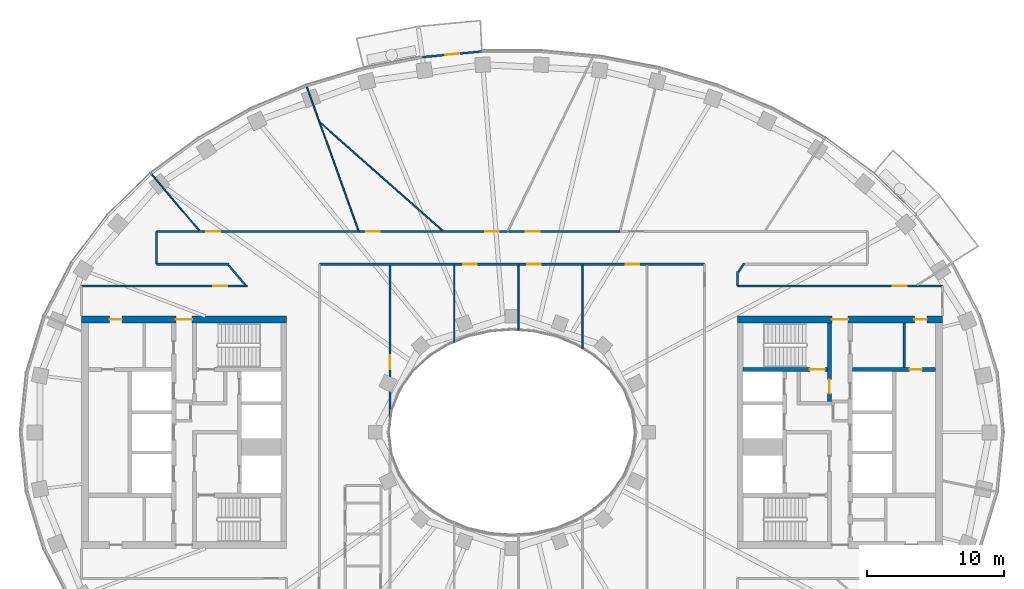
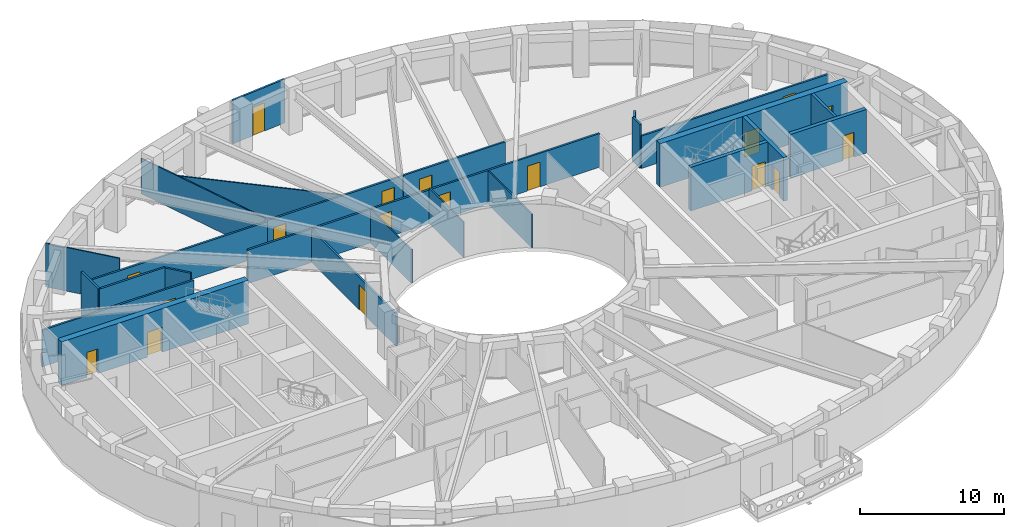
# One storey, part 6 of 16: 25 walls, 18 doors, 18 openings.
"""IFC4 building model written with IfcOpenShell, lengths in metres."""

from ifc_helpers import new_model, si_unit, direction, frame, frame_2d, origin, place, context, subcontext, project, spatial, rectangle, extrude, material, layer, layer_set, type_object, element, fill, save


model = new_model("IFC4")

# Units and contexts
model_context = context("Model", 3, precision=1e-05, world=origin(), true_north=direction((0.0, 1.0)))
body_context = subcontext(model_context, "Body", "Model", "MODEL_VIEW")
ifc_project = project(units=[si_unit("LENGTHUNIT", "METRE"), si_unit("AREAUNIT", "SQUARE_METRE"), si_unit("VOLUMEUNIT", "CUBIC_METRE"), si_unit("PLANEANGLEUNIT", "RADIAN"), si_unit("MASSUNIT", "GRAM", prefix="KILO")], contexts=[model_context])

# Site, building, storey
site_placement = place(None, origin())
site = spatial("IfcSite", under=ifc_project, at=site_placement, CompositionType="ELEMENT")
building_placement = place(site_placement, origin())
building = spatial("IfcBuilding", under=site, at=building_placement, Name="Noorbagh Ring Tower", CompositionType="ELEMENT")
storey_placement = place(building_placement, frame((0.0, 0.0, 245.5)))
storey = spatial("IfcBuildingStorey", under=building, at=storey_placement, Name="L51", CompositionType="ELEMENT", Elevation=245.5)

# Wall
ifc_material_1 = material(Name="Gypsum board on steel studs", Category="steel")
ifc_layer_1 = layer(ifc_material_1, 0.199951171875)
ifc_layer_set_1 = layer_set([ifc_layer_1], Name="Gypsum board on steel studs")
wall_type_1 = type_object("IfcWallType", Name="CORE-PARTITION-200", PredefinedType="PARTITIONING", material=ifc_layer_set_1)
wall_1_placement = place(storey_placement, frame((28.699951171875, 4.75, 0.0), z_axis=(0.0, 0.0, 1.0), x_axis=(0.0, 1.0, 0.0)))
element("IfcWall", 1, at=wall_1_placement, inside=storey, type_object=wall_type_1, Name="Core partition E", PredefinedType="PARTITIONING", context=body_context, shape_type="SweptSolid", body=[
    extrude(rectangle(XDim=3.25, YDim=0.199951171875, at=frame_2d((1.625, 0.0))), origin(), (0.0, 0.0, 1.0), 3.699951171875),
])

# Wall, opening, door
ifc_material_2 = material(Name="Concrete C60/75", Category="concrete")
ifc_layer_2 = layer(ifc_material_2, 0.300048828125)
ifc_layer_set_2 = layer_set([ifc_layer_2], Name="Concrete C60/75")
wall_type_2 = type_object("IfcWallType", Name="CORE-WALL-300-C60-75-EI240", PredefinedType="SHEAR", material=ifc_layer_set_2)
wall_2_placement = place(storey_placement, frame((24.89990234375, 4.60009765625, 0.0), z_axis=(0.0, 0.0, 1.0), x_axis=(1.0, 0.0, 0.0)))
wall_2 = element("IfcWall", 2, at=wall_2_placement, inside=storey, type_object=wall_type_2, Name="Core wall E", PredefinedType="SHEAR", context=body_context, shape_type="SweptSolid", body=[
    extrude(rectangle(XDim=6.10009765625, YDim=0.300048828125, at=frame_2d((3.050048828125, 0.0))), origin(), (0.0, 0.0, 1.0), 3.699951171875),
])
opening_1_placement = place(wall_2_placement, frame((4.199951171875, 0.0, 0.0)))
opening_1 = element("IfcOpeningElement", 3, at=opening_1_placement, cuts=wall_2, Name="Opening L51-CE19", PredefinedType="OPENING", context=body_context, shape_type="SweptSolid", body=[
    extrude(rectangle(XDim=0.89990234375, YDim=2.10009765625, at=frame_2d((0.449951171875, 1.050048828125))), frame((0.0, 0.16015625, 0.0), z_axis=(0.0, -1.0, 0.0), x_axis=(1.0, 0.0, 0.0)), (0.0, 0.0, 1.0), 0.320068359375),
])
ifc_material_3 = material(Name="Steel door leaf", Category="steel")
door_type_1 = type_object("IfcDoorType", Name="CORE-DOOR-DROOM", OperationType="SINGLE_SWING_LEFT", PredefinedType="DOOR", material=ifc_material_3)
door_1_placement = place(opening_1_placement, origin())
door_1 = element("IfcDoor", 4, at=door_1_placement, inside=storey, type_object=door_type_1, Name="Core room door L51-CE19", OperationType="SINGLE_SWING_RIGHT", OverallHeight=2.10009765625, OverallWidth=0.89990234375, PredefinedType="DOOR", context=body_context, shape_type="SweptSolid", body=[
    extrude(rectangle(XDim=0.89990234375, YDim=2.10009765625, at=frame_2d((0.449951171875, 1.050048828125))), frame((0.0, 0.02490234375, 0.0), z_axis=(0.0, -1.0, 0.0), x_axis=(1.0, 0.0, 0.0)), (0.0, 0.0, 1.0), 0.050048828125),
])
fill(opening_1, door_1)

wall_3_placement = place(storey_placement, frame((23.22998046875, 2.25, 0.0), z_axis=(0.0, 0.0, 1.0), x_axis=(0.0, 1.0, 0.0)))
wall_3 = element("IfcWall", 5, at=wall_3_placement, inside=storey, type_object=wall_type_2, Name="Core wall E", PredefinedType="SHEAR", context=body_context, shape_type="SweptSolid", body=[
    extrude(rectangle(XDim=5.75, YDim=0.300048828125, at=frame_2d((2.875, 0.0))), origin(), (0.0, 0.0, 1.0), 3.699951171875),
])
opening_2_placement = place(wall_3_placement, frame((0.60009765625, 0.0, 0.0)))
opening_2 = element("IfcOpeningElement", 6, at=opening_2_placement, cuts=wall_3, Name="Opening L51-CE10", PredefinedType="OPENING", context=body_context, shape_type="SweptSolid", body=[
    extrude(rectangle(XDim=1.0, YDim=2.10009765625, at=frame_2d((0.5, 1.050048828125))), frame((0.0, 0.16015625, 0.0), z_axis=(0.0, -1.0, 0.0), x_axis=(1.0, 0.0, 0.0)), (0.0, 0.0, 1.0), 0.320068359375),
])
ifc_material_4 = material(Name="Steel door leaf", Category="steel")
door_type_2 = type_object("IfcDoorType", Name="CORE-DOOR-DVEST", OperationType="SINGLE_SWING_LEFT", PredefinedType="DOOR", material=ifc_material_4)
door_2_placement = place(opening_2_placement, origin())
door_2 = element("IfcDoor", 7, at=door_2_placement, inside=storey, type_object=door_type_2, Name="Stair vestibule door L51-CE10", OperationType="SINGLE_SWING_RIGHT", OverallHeight=2.10009765625, OverallWidth=1.0, PredefinedType="DOOR", context=body_context, shape_type="SweptSolid", body=[
    extrude(rectangle(XDim=1.0, YDim=2.10009765625, at=frame_2d((0.5, 1.050048828125))), frame((0.0, 0.02490234375, 0.0), z_axis=(0.0, -1.0, 0.0), x_axis=(1.0, 0.0, 0.0)), (0.0, 0.0, 1.0), 0.050048828125),
])
fill(opening_2, door_2)

wall_4_placement = place(storey_placement, frame((16.89990234375, 4.60009765625, 0.0), z_axis=(0.0, 0.0, 1.0), x_axis=(1.0, 0.0, 0.0)))
wall_4 = element("IfcWall", 8, at=wall_4_placement, inside=storey, type_object=wall_type_2, Name="Core wall E", PredefinedType="SHEAR", context=body_context, shape_type="SweptSolid", body=[
    extrude(rectangle(XDim=6.18017578125, YDim=0.300048828125, at=frame_2d((3.090087890625, 0.0))), origin(), (0.0, 0.0, 1.0), 3.699951171875),
])
opening_3_placement = place(wall_4_placement, frame((4.89990234375, 0.0, 0.0)))
opening_3 = element("IfcOpeningElement", 9, at=opening_3_placement, cuts=wall_4, Name="Opening L51-CE07", PredefinedType="OPENING", context=body_context, shape_type="SweptSolid", body=[
    extrude(rectangle(XDim=1.10009765625, YDim=2.10009765625, at=frame_2d((0.550048828125, 1.050048828125))), frame((0.0, 0.16015625, 0.0), z_axis=(0.0, -1.0, 0.0), x_axis=(1.0, 0.0, 0.0)), (0.0, 0.0, 1.0), 0.320068359375),
])
ifc_material_5 = material(Name="Steel door leaf", Category="steel")
door_type_3 = type_object("IfcDoorType", Name="CORE-DOOR-DSTAIR", OperationType="SINGLE_SWING_LEFT", PredefinedType="DOOR", material=ifc_material_5)
door_3_placement = place(opening_3_placement, origin())
door_3 = element("IfcDoor", 10, at=door_3_placement, inside=storey, type_object=door_type_3, Name="Stair door ST3 L51-CE07", OperationType="SINGLE_SWING_LEFT", OverallHeight=2.10009765625, OverallWidth=1.10009765625, PredefinedType="DOOR", context=body_context, shape_type="SweptSolid", body=[
    extrude(rectangle(XDim=1.10009765625, YDim=2.10009765625, at=frame_2d((0.550048828125, 1.050048828125))), frame((0.0, 0.02490234375, 0.0), z_axis=(0.0, -1.0, 0.0), x_axis=(1.0, 0.0, 0.0)), (0.0, 0.0, 1.0), 0.050048828125),
])
fill(opening_3, door_3)

# Wall, openings, doors
ifc_material_6 = material(Name="Concrete C60/75", Category="concrete")
ifc_layer_3 = layer(ifc_material_6, 0.5)
ifc_layer_set_3 = layer_set([ifc_layer_3], Name="Concrete C60/75")
wall_type_3 = type_object("IfcWallType", Name="CORE-WALL-500-C60-75-EI240", PredefinedType="SHEAR", material=ifc_layer_set_3)
wall_5_placement = place(storey_placement, frame((-16.5, 8.25, 0.0), z_axis=(0.0, 0.0, 1.0), x_axis=(-1.0, 0.0, 0.0)))
wall_5 = element("IfcWall", 11, at=wall_5_placement, inside=storey, type_object=wall_type_3, Name="Core wall W", PredefinedType="SHEAR", context=body_context, shape_type="SweptSolid", body=[
    extrude(rectangle(XDim=15.0, YDim=0.5, at=frame_2d((7.5, 0.0))), origin(), (0.0, 0.0, 1.0), 3.699951171875),
])
opening_4_placement = place(wall_5_placement, frame((6.89990234375, 0.0, 0.0)))
opening_4 = element("IfcOpeningElement", 12, at=opening_4_placement, cuts=wall_5, Name="Opening L51-CW10", PredefinedType="OPENING", context=body_context, shape_type="SweptSolid", body=[
    extrude(rectangle(XDim=1.199951171875, YDim=2.10009765625, at=frame_2d((0.60009765625, 1.050048828125))), frame((0.0, 0.260009765625, 0.0), z_axis=(0.0, -1.0, 0.0), x_axis=(1.0, 0.0, 0.0)), (0.0, 0.0, 1.0), 0.52001953125),
])
opening_5_placement = place(wall_5_placement, frame((12.050048828125, 0.0, 0.0)))
opening_5 = element("IfcOpeningElement", 13, at=opening_5_placement, cuts=wall_5, Name="Opening L51-CW13", PredefinedType="OPENING", context=body_context, shape_type="SweptSolid", body=[
    extrude(rectangle(XDim=0.89990234375, YDim=2.10009765625, at=frame_2d((0.449951171875, 1.050048828125))), frame((0.0, 0.260009765625, 0.0), z_axis=(0.0, -1.0, 0.0), x_axis=(1.0, 0.0, 0.0)), (0.0, 0.0, 1.0), 0.52001953125),
])
door_4_placement = place(opening_5_placement, origin())
door_4 = element("IfcDoor", 14, at=door_4_placement, inside=storey, type_object=door_type_1, Name="Core room door L51-CW13", OperationType="SINGLE_SWING_RIGHT", OverallHeight=2.10009765625, OverallWidth=0.89990234375, PredefinedType="DOOR", context=body_context, shape_type="SweptSolid", body=[
    extrude(rectangle(XDim=0.89990234375, YDim=2.10009765625, at=frame_2d((0.449951171875, 1.050048828125))), frame((0.0, 0.02490234375, 0.0), z_axis=(0.0, -1.0, 0.0), x_axis=(1.0, 0.0, 0.0)), (0.0, 0.0, 1.0), 0.050048828125),
])
fill(opening_5, door_4)
ifc_material_7 = material(Name="Steel door leaf", Category="steel")
door_type_4 = type_object("IfcDoorType", Name="CORE-DOOR-PORT", OperationType="DOUBLE_DOOR_DOUBLE_SWING", PredefinedType="DOOR", material=ifc_material_7)
door_5_placement = place(opening_4_placement, origin())
door_5 = element("IfcDoor", 15, at=door_5_placement, inside=storey, type_object=door_type_4, Name="Core entrance door L51-CW10", OperationType="DOUBLE_DOOR_DOUBLE_SWING", OverallHeight=2.10009765625, OverallWidth=1.199951171875, PredefinedType="DOOR", context=body_context, shape_type="SweptSolid", body=[
    extrude(rectangle(XDim=1.199951171875, YDim=2.10009765625, at=frame_2d((0.60009765625, 1.050048828125))), frame((0.0, 0.02490234375, 0.0), z_axis=(0.0, -1.0, 0.0), x_axis=(1.0, 0.0, 0.0)), (0.0, 0.0, 1.0), 0.050048828125),
])
fill(opening_4, door_5)

wall_6_placement = place(storey_placement, frame((16.5, 8.25, 0.0), z_axis=(0.0, 0.0, 1.0), x_axis=(1.0, 0.0, 0.0)))
wall_6 = element("IfcWall", 16, at=wall_6_placement, inside=storey, type_object=wall_type_3, Name="Core wall E", PredefinedType="SHEAR", context=body_context, shape_type="SweptSolid", body=[
    extrude(rectangle(XDim=15.0, YDim=0.5, at=frame_2d((7.5, 0.0))), origin(), (0.0, 0.0, 1.0), 3.699951171875),
])
opening_6_placement = place(wall_6_placement, frame((6.89990234375, 0.0, 0.0)))
opening_6 = element("IfcOpeningElement", 17, at=opening_6_placement, cuts=wall_6, Name="Opening L51-CE11", PredefinedType="OPENING", context=body_context, shape_type="SweptSolid", body=[
    extrude(rectangle(XDim=1.199951171875, YDim=2.10009765625, at=frame_2d((0.60009765625, 1.050048828125))), frame((0.0, 0.260009765625, 0.0), z_axis=(0.0, -1.0, 0.0), x_axis=(1.0, 0.0, 0.0)), (0.0, 0.0, 1.0), 0.52001953125),
])
opening_7_placement = place(wall_6_placement, frame((12.949951171875, 0.0, 0.0)))
opening_7 = element("IfcOpeningElement", 18, at=opening_7_placement, cuts=wall_6, Name="Opening L51-CE14", PredefinedType="OPENING", context=body_context, shape_type="SweptSolid", body=[
    extrude(rectangle(XDim=0.89990234375, YDim=2.10009765625, at=frame_2d((0.449951171875, 1.050048828125))), frame((0.0, 0.260009765625, 0.0), z_axis=(0.0, -1.0, 0.0), x_axis=(1.0, 0.0, 0.0)), (0.0, 0.0, 1.0), 0.52001953125),
])
door_6_placement = place(opening_7_placement, origin())
door_6 = element("IfcDoor", 19, at=door_6_placement, inside=storey, type_object=door_type_1, Name="Core room door L51-CE14", OperationType="SINGLE_SWING_LEFT", OverallHeight=2.10009765625, OverallWidth=0.89990234375, PredefinedType="DOOR", context=body_context, shape_type="SweptSolid", body=[
    extrude(rectangle(XDim=0.89990234375, YDim=2.10009765625, at=frame_2d((0.449951171875, 1.050048828125))), frame((0.0, 0.02490234375, 0.0), z_axis=(0.0, -1.0, 0.0), x_axis=(1.0, 0.0, 0.0)), (0.0, 0.0, 1.0), 0.050048828125),
])
fill(opening_7, door_6)
door_7_placement = place(opening_6_placement, origin())
door_7 = element("IfcDoor", 20, at=door_7_placement, inside=storey, type_object=door_type_4, Name="Core entrance door L51-CE11", OperationType="DOUBLE_DOOR_DOUBLE_SWING", OverallHeight=2.10009765625, OverallWidth=1.199951171875, PredefinedType="DOOR", context=body_context, shape_type="SweptSolid", body=[
    extrude(rectangle(XDim=1.199951171875, YDim=2.10009765625, at=frame_2d((0.60009765625, 1.050048828125))), frame((0.0, 0.02490234375, 0.0), z_axis=(0.0, -1.0, 0.0), x_axis=(1.0, 0.0, 0.0)), (0.0, 0.0, 1.0), 0.050048828125),
])
fill(opening_6, door_7)

# Wall, opening, door
ifc_material_8 = material(Name="Gypsum board on steel studs", Category="steel")
ifc_layer_4 = layer(ifc_material_8, 0.14990234375)
ifc_layer_set_4 = layer_set([ifc_layer_4], Name="Gypsum board on steel studs")
wall_type_4 = type_object("IfcWallType", Name="CORRIDOR PARTITION 150 EI 30", PredefinedType="PARTITIONING", material=ifc_layer_set_4)
wall_7_placement = place(storey_placement, frame((-31.5, 10.699951171875, 0.0), z_axis=(0.0, 0.0, 1.0), x_axis=(1.0, 0.0, 0.0)))
wall_7 = element("IfcWall", 21, at=wall_7_placement, inside=storey, type_object=wall_type_4, Name="L51/wall/P05", PredefinedType="PARTITIONING", context=body_context, shape_type="SweptSolid", body=[
    extrude(rectangle(XDim=12.14697265625, YDim=0.14990234375, at=frame_2d((6.073486328125, 0.0))), origin(), (0.0, 0.0, 1.0), 3.10009765625),
])
opening_8_placement = place(wall_7_placement, frame((9.64892578125, 0.0, 0.0)))
opening_8 = element("IfcOpeningElement", 22, at=opening_8_placement, cuts=wall_7, Name="Opening D1", PredefinedType="OPENING", context=body_context, shape_type="SweptSolid", body=[
    extrude(rectangle(XDim=1.0, YDim=2.10009765625, at=frame_2d((0.5, 1.050048828125))), frame((0.0, 0.0849609375, 0.0), z_axis=(0.0, -1.0, 0.0), x_axis=(1.0, 0.0, 0.0)), (0.0, 0.0, 1.0), 0.169921875),
])
ifc_material_9 = material(Name="Timber, painted", Category="wood")
door_type_5 = type_object("IfcDoorType", Name="DOOR 1000 X 2100 FD30", OperationType="SINGLE_SWING_LEFT", PredefinedType="DOOR", material=ifc_material_9)
door_8_placement = place(opening_8_placement, origin())
door_8 = element("IfcDoor", 23, at=door_8_placement, inside=storey, type_object=door_type_5, Name="L51-D07", OperationType="SINGLE_SWING_LEFT", OverallHeight=2.10009765625, OverallWidth=1.0, PredefinedType="DOOR", context=body_context, shape_type="SweptSolid", body=[
    extrude(rectangle(XDim=1.0, YDim=2.10009765625, at=frame_2d((0.5, 1.050048828125))), frame((0.0, 0.02490234375, 0.0), z_axis=(0.0, -1.0, 0.0), x_axis=(1.0, 0.0, 0.0)), (0.0, 0.0, 1.0), 0.050048828125),
])
fill(opening_8, door_8)

# Walls
wall_8_placement = place(storey_placement, frame((-26.0, 12.300048828125, 0.0), z_axis=(0.0, 0.0, 1.0), x_axis=(0.0, 1.0, 0.0)))
element("IfcWall", 24, at=wall_8_placement, inside=storey, type_object=wall_type_4, Name="L51/wall/P10", PredefinedType="PARTITIONING", context=body_context, shape_type="SweptSolid", body=[
    extrude(rectangle(XDim=2.39990234375, YDim=0.14990234375, at=frame_2d((1.199951171875, 0.0))), origin(), (0.0, 0.0, 1.0), 3.699951171875),
])
wall_9_placement = place(storey_placement, frame((-26.0, 12.300048828125, 0.0), z_axis=(0.0, 0.0, 1.0), x_axis=(1.0, 0.0, 0.0)))
element("IfcWall", 25, at=wall_9_placement, inside=storey, type_object=wall_type_4, Name="L51/wall/P11", PredefinedType="PARTITIONING", context=body_context, shape_type="SweptSolid", body=[
    extrude(rectangle(XDim=5.298095703125, YDim=0.14990234375, at=frame_2d((2.64892578125, 0.0))), origin(), (0.0, 0.0, 1.0), 3.699951171875),
])

# Wall, opening, door
wall_10_placement = place(storey_placement, frame((-26.0, 14.699951171875, 0.0), z_axis=(0.0, 0.0, 1.0), x_axis=(1.0, 0.0, 0.0)))
wall_10 = element("IfcWall", 26, at=wall_10_placement, inside=storey, type_object=wall_type_4, Name="L51/wall/P12", PredefinedType="PARTITIONING", context=body_context, shape_type="SweptSolid", body=[
    extrude(rectangle(XDim=14.833984375, YDim=0.14990234375, at=frame_2d((7.4169921875, 0.0))), origin(), (0.0, 0.0, 1.0), 2.75),
])
opening_9_placement = place(wall_10_placement, frame((3.64306640625, 0.0, 0.0)))
opening_9 = element("IfcOpeningElement", 27, at=opening_9_placement, cuts=wall_10, Name="Opening D1", PredefinedType="OPENING", context=body_context, shape_type="SweptSolid", body=[
    extrude(rectangle(XDim=1.0, YDim=2.10009765625, at=frame_2d((0.5, 1.050048828125))), frame((0.0, 0.0849609375, 0.0), z_axis=(0.0, -1.0, 0.0), x_axis=(1.0, 0.0, 0.0)), (0.0, 0.0, 1.0), 0.169921875),
])
door_9_placement = place(opening_9_placement, origin())
door_9 = element("IfcDoor", 28, at=door_9_placement, inside=storey, type_object=door_type_5, Name="L51-D08", OperationType="SINGLE_SWING_RIGHT", OverallHeight=2.10009765625, OverallWidth=1.0, PredefinedType="DOOR", context=body_context, shape_type="SweptSolid", body=[
    extrude(rectangle(XDim=1.0, YDim=2.10009765625, at=frame_2d((0.5, 1.050048828125))), frame((0.0, 0.02490234375, 0.0), z_axis=(0.0, -1.0, 0.0), x_axis=(1.0, 0.0, 0.0)), (0.0, 0.0, 1.0), 0.050048828125),
])
fill(opening_9, door_9)

# Wall
wall_11_placement = place(storey_placement, frame((-20.73388671875, 12.221923828125, 0.0), z_axis=(0.0, 0.0, 1.0), x_axis=(0.646306563739, -0.763077863437, 0.0)))
element("IfcWall", 29, at=wall_11_placement, inside=storey, type_object=wall_type_4, Name="L51/wall/P13", PredefinedType="PARTITIONING", context=body_context, shape_type="SweptSolid", body=[
    extrude(rectangle(XDim=1.89208984375, YDim=0.14990234375, at=frame_2d((0.946044921875, 0.0))), origin(), (0.0, 0.0, 1.0), 3.699951171875),
])

# Wall, openings, doors
wall_12_placement = place(storey_placement, frame((-14.10009765625, 12.300048828125, 0.0), z_axis=(0.0, 0.0, 1.0), x_axis=(1.0, 0.0, 0.0)))
wall_12 = element("IfcWall", 30, at=wall_12_placement, inside=storey, type_object=wall_type_4, Name="L51/wall/P20", PredefinedType="PARTITIONING", context=body_context, shape_type="SweptSolid", body=[
    extrude(rectangle(XDim=28.2001953125, YDim=0.14990234375, at=frame_2d((14.10009765625, 0.0))), origin(), (0.0, 0.0, 1.0), 2.85009765625),
])
opening_10_placement = place(wall_12_placement, frame((10.52001953125, 0.0, 0.0)))
opening_10 = element("IfcOpeningElement", 31, at=opening_10_placement, cuts=wall_12, Name="Opening D1", PredefinedType="OPENING", context=body_context, shape_type="SweptSolid", body=[
    extrude(rectangle(XDim=1.0, YDim=2.10009765625, at=frame_2d((0.5, 1.050048828125))), frame((0.0, 0.0849609375, 0.0), z_axis=(0.0, -1.0, 0.0), x_axis=(1.0, 0.0, 0.0)), (0.0, 0.0, 1.0), 0.169921875),
])
opening_11_placement = place(wall_12_placement, frame((15.219970703125, 0.0, 0.0)))
opening_11 = element("IfcOpeningElement", 32, at=opening_11_placement, cuts=wall_12, Name="Opening D1", PredefinedType="OPENING", context=body_context, shape_type="SweptSolid", body=[
    extrude(rectangle(XDim=1.0, YDim=2.10009765625, at=frame_2d((0.5, 1.050048828125))), frame((0.0, 0.0849609375, 0.0), z_axis=(0.0, -1.0, 0.0), x_axis=(1.0, 0.0, 0.0)), (0.0, 0.0, 1.0), 0.169921875),
])
opening_12_placement = place(wall_12_placement, frame((22.419921875, 0.0, 0.0)))
opening_12 = element("IfcOpeningElement", 33, at=opening_12_placement, cuts=wall_12, Name="Opening D1", PredefinedType="OPENING", context=body_context, shape_type="SweptSolid", body=[
    extrude(rectangle(XDim=1.0, YDim=2.10009765625, at=frame_2d((0.5, 1.050048828125))), frame((0.0, 0.0849609375, 0.0), z_axis=(0.0, -1.0, 0.0), x_axis=(1.0, 0.0, 0.0)), (0.0, 0.0, 1.0), 0.169921875),
])
door_10_placement = place(opening_10_placement, origin())
door_10 = element("IfcDoor", 34, at=door_10_placement, inside=storey, type_object=door_type_5, Name="L51-D25", OperationType="SINGLE_SWING_LEFT", OverallHeight=2.10009765625, OverallWidth=1.0, PredefinedType="DOOR", context=body_context, shape_type="SweptSolid", body=[
    extrude(rectangle(XDim=1.0, YDim=2.10009765625, at=frame_2d((0.5, 1.050048828125))), frame((0.0, 0.02490234375, 0.0), z_axis=(0.0, -1.0, 0.0), x_axis=(1.0, 0.0, 0.0)), (0.0, 0.0, 1.0), 0.050048828125),
])
fill(opening_10, door_10)
door_11_placement = place(opening_11_placement, origin())
door_11 = element("IfcDoor", 35, at=door_11_placement, inside=storey, type_object=door_type_5, Name="L51-D27", OperationType="SINGLE_SWING_LEFT", OverallHeight=2.10009765625, OverallWidth=1.0, PredefinedType="DOOR", context=body_context, shape_type="SweptSolid", body=[
    extrude(rectangle(XDim=1.0, YDim=2.10009765625, at=frame_2d((0.5, 1.050048828125))), frame((0.0, 0.02490234375, 0.0), z_axis=(0.0, -1.0, 0.0), x_axis=(1.0, 0.0, 0.0)), (0.0, 0.0, 1.0), 0.050048828125),
])
fill(opening_11, door_11)
door_12_placement = place(opening_12_placement, origin())
door_12 = element("IfcDoor", 36, at=door_12_placement, inside=storey, type_object=door_type_5, Name="L51-D28", OperationType="SINGLE_SWING_RIGHT", OverallHeight=2.10009765625, OverallWidth=1.0, PredefinedType="DOOR", context=body_context, shape_type="SweptSolid", body=[
    extrude(rectangle(XDim=1.0, YDim=2.10009765625, at=frame_2d((0.5, 1.050048828125))), frame((0.0, 0.02490234375, 0.0), z_axis=(0.0, -1.0, 0.0), x_axis=(1.0, 0.0, 0.0)), (0.0, 0.0, 1.0), 0.050048828125),
])
fill(opening_12, door_12)

wall_13_placement = place(storey_placement, frame((-11.154052734375, 14.699951171875, 0.0), z_axis=(0.0, 0.0, 1.0), x_axis=(1.0, 0.0, 0.0)))
wall_13 = element("IfcWall", 37, at=wall_13_placement, inside=storey, type_object=wall_type_4, Name="L51/wall/P28", PredefinedType="PARTITIONING", context=body_context, shape_type="SweptSolid", body=[
    extrude(rectangle(XDim=10.8349609375, YDim=0.14990234375, at=frame_2d((5.41748046875, 0.0))), origin(), (0.0, 0.0, 1.0), 2.85009765625),
])
opening_13_placement = place(wall_13_placement, frame((9.18505859375, 0.0, 0.0)))
opening_13 = element("IfcOpeningElement", 38, at=opening_13_placement, cuts=wall_13, Name="Opening D1", PredefinedType="OPENING", context=body_context, shape_type="SweptSolid", body=[
    extrude(rectangle(XDim=1.0, YDim=2.10009765625, at=frame_2d((0.5, 1.050048828125))), frame((0.0, 0.0849609375, 0.0), z_axis=(0.0, -1.0, 0.0), x_axis=(1.0, 0.0, 0.0)), (0.0, 0.0, 1.0), 0.169921875),
])
opening_14_placement = place(wall_13_placement, frame((0.48291015625, 0.0, 0.0)))
opening_14 = element("IfcOpeningElement", 39, at=opening_14_placement, cuts=wall_13, Name="Opening D1", PredefinedType="OPENING", context=body_context, shape_type="SweptSolid", body=[
    extrude(rectangle(XDim=1.0, YDim=2.10009765625, at=frame_2d((0.5, 1.050048828125))), frame((0.0, 0.0849609375, 0.0), z_axis=(0.0, -1.0, 0.0), x_axis=(1.0, 0.0, 0.0)), (0.0, 0.0, 1.0), 0.169921875),
])
door_13_placement = place(opening_13_placement, origin())
door_13 = element("IfcDoor", 40, at=door_13_placement, inside=storey, type_object=door_type_5, Name="L51-D11", OperationType="SINGLE_SWING_LEFT", OverallHeight=2.10009765625, OverallWidth=1.0, PredefinedType="DOOR", context=body_context, shape_type="SweptSolid", body=[
    extrude(rectangle(XDim=1.0, YDim=2.10009765625, at=frame_2d((0.5, 1.050048828125))), frame((0.0, 0.02490234375, 0.0), z_axis=(0.0, -1.0, 0.0), x_axis=(1.0, 0.0, 0.0)), (0.0, 0.0, 1.0), 0.050048828125),
])
fill(opening_13, door_13)
door_14_placement = place(opening_14_placement, origin())
door_14 = element("IfcDoor", 41, at=door_14_placement, inside=storey, type_object=door_type_5, Name="L51-D12", OperationType="SINGLE_SWING_RIGHT", OverallHeight=2.10009765625, OverallWidth=1.0, PredefinedType="DOOR", context=body_context, shape_type="SweptSolid", body=[
    extrude(rectangle(XDim=1.0, YDim=2.10009765625, at=frame_2d((0.5, 1.050048828125))), frame((0.0, 0.02490234375, 0.0), z_axis=(0.0, -1.0, 0.0), x_axis=(1.0, 0.0, 0.0)), (0.0, 0.0, 1.0), 0.050048828125),
])
fill(opening_14, door_14)

# Wall, opening, door
wall_14_placement = place(storey_placement, frame((-8.929931640625, 0.51806640625, 0.0), z_axis=(0.0, 0.0, 1.0), x_axis=(0.0, 1.0, 0.0)))
wall_14 = element("IfcWall", 42, at=wall_14_placement, inside=storey, type_object=wall_type_4, Name="L51/wall/P32", PredefinedType="PARTITIONING", context=body_context, shape_type="SweptSolid", body=[
    extrude(rectangle(XDim=11.70703125, YDim=0.14990234375, at=frame_2d((5.853515625, 0.0))), origin(), (0.0, 0.0, 1.0), 2.75),
])
opening_15_placement = place(wall_14_placement, frame((4.110107421875, 0.0, 0.0)))
opening_15 = element("IfcOpeningElement", 43, at=opening_15_placement, cuts=wall_14, Name="Opening D1", PredefinedType="OPENING", context=body_context, shape_type="SweptSolid", body=[
    extrude(rectangle(XDim=1.0, YDim=2.10009765625, at=frame_2d((0.5, 1.050048828125))), frame((0.0, 0.0849609375, 0.0), z_axis=(0.0, -1.0, 0.0), x_axis=(1.0, 0.0, 0.0)), (0.0, 0.0, 1.0), 0.169921875),
])
door_15_placement = place(opening_15_placement, origin())
door_15 = element("IfcDoor", 44, at=door_15_placement, inside=storey, type_object=door_type_5, Name="L51-D23", OperationType="SINGLE_SWING_LEFT", OverallHeight=2.10009765625, OverallWidth=1.0, PredefinedType="DOOR", context=body_context, shape_type="SweptSolid", body=[
    extrude(rectangle(XDim=1.0, YDim=2.10009765625, at=frame_2d((0.5, 1.050048828125))), frame((0.0, 0.02490234375, 0.0), z_axis=(0.0, -1.0, 0.0), x_axis=(1.0, 0.0, 0.0)), (0.0, 0.0, 1.0), 0.050048828125),
])
fill(opening_15, door_15)

wall_15_placement = place(storey_placement, frame((-0.243896484375, 14.699951171875, 0.0), z_axis=(0.0, 0.0, 1.0), x_axis=(1.0, 0.0, 0.0)))
wall_15 = element("IfcWall", 45, at=wall_15_placement, inside=storey, type_object=wall_type_4, Name="L51/wall/P43", PredefinedType="PARTITIONING", context=body_context, shape_type="SweptSolid", body=[
    extrude(rectangle(XDim=8.14697265625, YDim=0.14990234375, at=frame_2d((4.073486328125, 0.0))), origin(), (0.0, 0.0, 1.0), 2.85009765625),
])
opening_16_placement = place(wall_15_placement, frame((1.262939453125, 0.0, 0.0)))
opening_16 = element("IfcOpeningElement", 46, at=opening_16_placement, cuts=wall_15, Name="Opening D1", PredefinedType="OPENING", context=body_context, shape_type="SweptSolid", body=[
    extrude(rectangle(XDim=1.0, YDim=2.10009765625, at=frame_2d((0.5, 1.050048828125))), frame((0.0, 0.0849609375, 0.0), z_axis=(0.0, -1.0, 0.0), x_axis=(1.0, 0.0, 0.0)), (0.0, 0.0, 1.0), 0.169921875),
])
door_16_placement = place(opening_16_placement, origin())
door_16 = element("IfcDoor", 47, at=door_16_placement, inside=storey, type_object=door_type_5, Name="L51-D14", OperationType="SINGLE_SWING_RIGHT", OverallHeight=2.10009765625, OverallWidth=1.0, PredefinedType="DOOR", context=body_context, shape_type="SweptSolid", body=[
    extrude(rectangle(XDim=1.0, YDim=2.10009765625, at=frame_2d((0.5, 1.050048828125))), frame((0.0, 0.02490234375, 0.0), z_axis=(0.0, -1.0, 0.0), x_axis=(1.0, 0.0, 0.0)), (0.0, 0.0, 1.0), 0.050048828125),
])
fill(opening_16, door_16)

# Wall
wall_16_placement = place(storey_placement, frame((16.5, 10.699951171875, 0.0), z_axis=(0.0, 0.0, 1.0), x_axis=(0.0, 1.0, 0.0)))
element("IfcWall", 48, at=wall_16_placement, inside=storey, type_object=wall_type_4, Name="L51/wall/P58", PredefinedType="PARTITIONING", context=body_context, shape_type="SweptSolid", body=[
    extrude(rectangle(XDim=1.05615234375, YDim=0.14990234375, at=frame_2d((0.528076171875, 0.0))), origin(), (0.0, 0.0, 1.0), 3.699951171875),
])

# Wall, opening, door
wall_17_placement = place(storey_placement, frame((16.5, 10.699951171875, 0.0), z_axis=(0.0, 0.0, 1.0), x_axis=(1.0, 0.0, 0.0)))
wall_17 = element("IfcWall", 49, at=wall_17_placement, inside=storey, type_object=wall_type_4, Name="L51/wall/P59", PredefinedType="PARTITIONING", context=body_context, shape_type="SweptSolid", body=[
    extrude(rectangle(XDim=15.0, YDim=0.14990234375, at=frame_2d((7.5, 0.0))), origin(), (0.0, 0.0, 1.0), 2.75),
])
opening_17_placement = place(wall_17_placement, frame((11.37109375, 0.0, 0.0)))
opening_17 = element("IfcOpeningElement", 50, at=opening_17_placement, cuts=wall_17, Name="Opening D1", PredefinedType="OPENING", context=body_context, shape_type="SweptSolid", body=[
    extrude(rectangle(XDim=1.0, YDim=2.10009765625, at=frame_2d((0.5, 1.050048828125))), frame((0.0, 0.0849609375, 0.0), z_axis=(0.0, -1.0, 0.0), x_axis=(1.0, 0.0, 0.0)), (0.0, 0.0, 1.0), 0.169921875),
])
door_17_placement = place(opening_17_placement, origin())
door_17 = element("IfcDoor", 51, at=door_17_placement, inside=storey, type_object=door_type_5, Name="L51-D19", OperationType="SINGLE_SWING_LEFT", OverallHeight=2.10009765625, OverallWidth=1.0, PredefinedType="DOOR", context=body_context, shape_type="SweptSolid", body=[
    extrude(rectangle(XDim=1.0, YDim=2.10009765625, at=frame_2d((0.5, 1.050048828125))), frame((0.0, 0.02490234375, 0.0), z_axis=(0.0, -1.0, 0.0), x_axis=(1.0, 0.0, 0.0)), (0.0, 0.0, 1.0), 0.050048828125),
])
fill(opening_17, door_17)

# Wall
wall_18_placement = place(storey_placement, frame((16.576904296875, 11.737060546875, 0.0), z_axis=(0.0, 0.0, 1.0), x_axis=(0.541716486253, 0.840561269939, 0.0)))
element("IfcWall", 52, at=wall_18_placement, inside=storey, type_object=wall_type_4, Name="L51/wall/P60", PredefinedType="PARTITIONING", context=body_context, shape_type="SweptSolid", body=[
    extrude(rectangle(XDim=0.759033203125, YDim=0.14990234375, at=frame_2d((0.37939453125, 0.0))), origin(), (0.0, 0.0, 1.0), 3.699951171875),
])

# Wall, opening, door
ifc_material_10 = material(Name="Insulated aluminium clad panel", Category="aluminium")
ifc_layer_5 = layer(ifc_material_10, 0.14990234375)
ifc_layer_set_5 = layer_set([ifc_layer_5], Name="Insulated aluminium clad panel")
wall_type_5 = type_object("IfcWallType", Name="ENV-WALL-DOOR", PredefinedType="STANDARD", material=ifc_layer_set_5)
wall_19_placement = place(storey_placement, frame((-2.166259765625, 27.875244140625, 0.0), z_axis=(0.0, 0.0, 1.0), x_axis=(-0.995473879823, -0.095035543824, 0.0)))
wall_19 = element("IfcWall", 53, at=wall_19_placement, inside=storey, type_object=wall_type_5, Name="Balcony door wall chord 13", PredefinedType="STANDARD", context=body_context, shape_type="SweptSolid", body=[
    extrude(rectangle(XDim=4.42626953125, YDim=0.14990234375, at=frame_2d((2.213134765625, 0.0))), origin(), (0.0, 0.0, 1.0), 3.699951171875),
])
opening_18_placement = place(wall_19_placement, frame((1.713134765625, 0.0, 0.0)))
opening_18 = element("IfcOpeningElement", 54, at=opening_18_placement, cuts=wall_19, Name="Opening D-BL", PredefinedType="OPENING", context=body_context, shape_type="SweptSolid", body=[
    extrude(rectangle(XDim=1.0, YDim=2.39990234375, at=frame_2d((0.5, 1.199951171875))), frame((0.0, 0.0849609375, 0.0), z_axis=(0.0, -1.0, 0.0), x_axis=(1.0, 0.0, 0.0)), (0.0, 0.0, 1.0), 0.169921875),
])
ifc_material_11 = material(Name="Aluminium and glass", Category="aluminium")
door_type_6 = type_object("IfcDoorType", Name="ENV-DOOR-BALCONY", OperationType="SINGLE_SWING_LEFT", PredefinedType="DOOR", material=ifc_material_11)
door_18_placement = place(opening_18_placement, origin())
door_18 = element("IfcDoor", 55, at=door_18_placement, inside=storey, type_object=door_type_6, Name="Balcony door chord 13", OperationType="SINGLE_SWING_RIGHT", OverallHeight=2.39990234375, OverallWidth=1.0, PredefinedType="DOOR", context=body_context, shape_type="SweptSolid", body=[
    extrude(rectangle(XDim=1.0, YDim=2.39990234375, at=frame_2d((0.5, 1.199951171875))), frame((0.0, 0.02490234375, 0.0), z_axis=(0.0, -1.0, 0.0), x_axis=(1.0, 0.0, 0.0)), (0.0, 0.0, 1.0), 0.050048828125),
])
fill(opening_18, door_18)

# Walls
ifc_material_12 = material(Name="Gypsum board on steel studs", Category="steel")
ifc_layer_6 = layer(ifc_material_12, 0.10009765625)
ifc_layer_set_6 = layer_set([ifc_layer_6], Name="Gypsum board on steel studs")
wall_type_6 = type_object("IfcWallType", Name="PARTITION 100 GYPSUM", PredefinedType="PARTITIONING", material=ifc_layer_set_6)
wall_20_placement = place(storey_placement, frame((-26.429931640625, 18.945068359375, 0.0), z_axis=(0.0, 0.0, 1.0), x_axis=(0.646381008665, -0.763014804337, 0.0)))
element("IfcWall", 56, at=wall_20_placement, inside=storey, type_object=wall_type_6, Name="L51/wall/P06", PredefinedType="PARTITIONING", context=body_context, shape_type="SweptSolid", body=[
    extrude(rectangle(XDim=5.461181640625, YDim=0.10009765625, at=frame_2d((2.73046875, 0.0))), origin(), (0.0, 0.0, 1.0), 3.699951171875),
])
wall_21_placement = place(storey_placement, frame((-15.048095703125, 25.383056640625, 0.0), z_axis=(0.0, 0.0, 1.0), x_axis=(0.338188533117, -0.941078379344, 0.0)))
element("IfcWall", 57, at=wall_21_placement, inside=storey, type_object=wall_type_6, Name="L51/wall/P17", PredefinedType="PARTITIONING", context=body_context, shape_type="SweptSolid", body=[
    extrude(rectangle(XDim=11.26904296875, YDim=0.10009765625, at=frame_2d((5.634521484375, 0.0))), origin(), (0.0, 0.0, 1.0), 3.0),
])
wall_22_placement = place(storey_placement, frame((-14.013916015625, 22.654052734375, 0.0), z_axis=(0.0, 0.0, 1.0), x_axis=(0.749061235459, -0.66250076644, 0.0)))
element("IfcWall", 58, at=wall_22_placement, inside=storey, type_object=wall_type_6, Name="L51/wall/P21", PredefinedType="PARTITIONING", context=body_context, shape_type="SweptSolid", body=[
    extrude(rectangle(XDim=11.88818359375, YDim=0.10009765625, at=frame_2d((5.944091796875, 0.0))), origin(), (0.0, 0.0, 1.0), 2.85009765625),
])
wall_23_placement = place(storey_placement, frame((-4.22998046875, 6.592041015625, 0.0), z_axis=(0.0, 0.0, 1.0), x_axis=(0.0, 1.0, 0.0)))
element("IfcWall", 59, at=wall_23_placement, inside=storey, type_object=wall_type_6, Name="L51/wall/P37", PredefinedType="PARTITIONING", context=body_context, shape_type="SweptSolid", body=[
    extrude(rectangle(XDim=5.633056640625, YDim=0.10009765625, at=frame_2d((2.81640625, 0.0))), origin(), (0.0, 0.0, 1.0), 2.85009765625),
])
wall_24_placement = place(storey_placement, frame((0.469970703125, 7.468994140625, 0.0), z_axis=(0.0, 0.0, 1.0), x_axis=(0.0, 1.0, 0.0)))
element("IfcWall", 60, at=wall_24_placement, inside=storey, type_object=wall_type_6, Name="L51/wall/P45", PredefinedType="PARTITIONING", context=body_context, shape_type="SweptSolid", body=[
    extrude(rectangle(XDim=4.756103515625, YDim=0.10009765625, at=frame_2d((2.3779296875, 0.0))), origin(), (0.0, 0.0, 1.0), 3.0),
])
wall_25_placement = place(storey_placement, frame((5.169921875, 6.10498046875, 0.0), z_axis=(0.0, 0.0, 1.0), x_axis=(0.0, 1.0, 0.0)))
element("IfcWall", 61, at=wall_25_placement, inside=storey, type_object=wall_type_6, Name="L51/wall/P49", PredefinedType="PARTITIONING", context=body_context, shape_type="SweptSolid", body=[
    extrude(rectangle(XDim=6.1201171875, YDim=0.10009765625, at=frame_2d((3.06005859375, 0.0))), origin(), (0.0, 0.0, 1.0), 2.85009765625),
])

save(model, "model.ifc")
